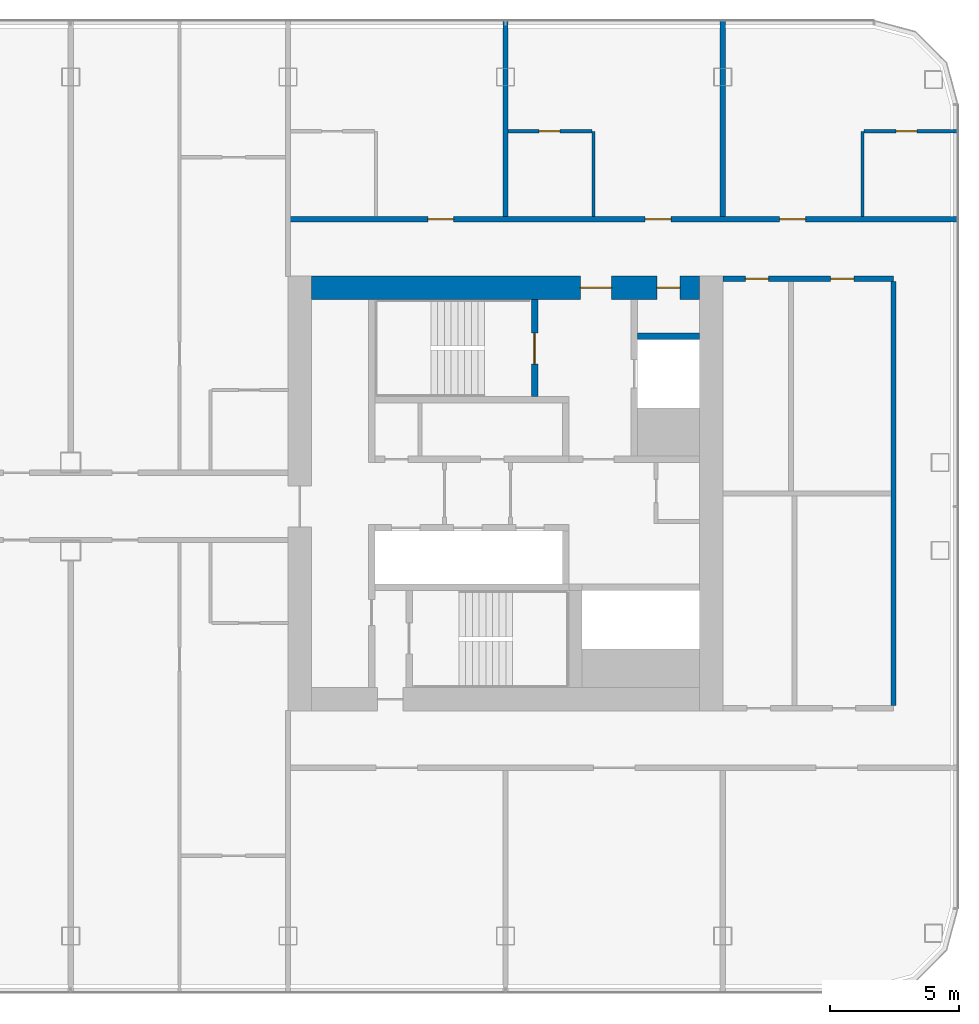
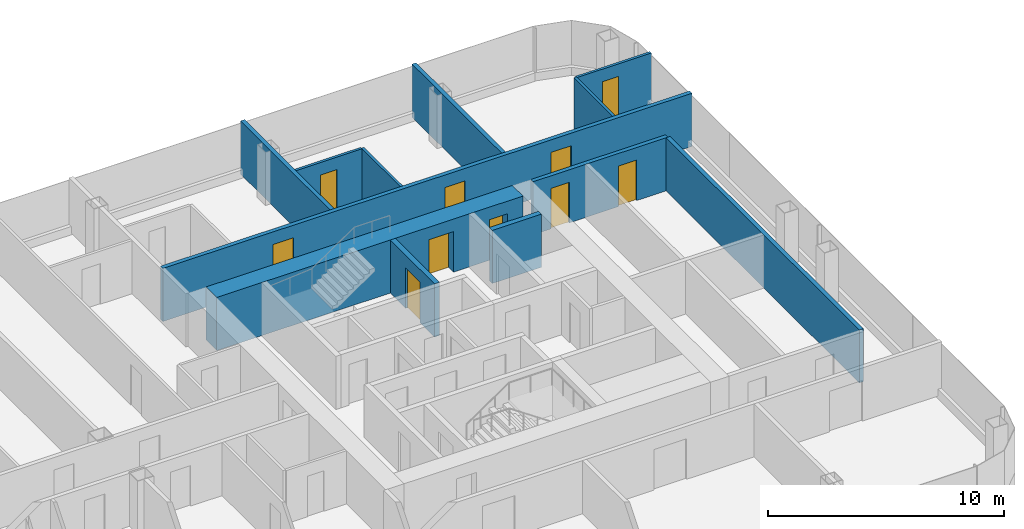
# One storey, part 17 of 26: 12 walls, 10 doors, 10 openings.
"""IFC4 building model written with IfcOpenShell, lengths in metres."""

from ifc_helpers import new_model, si_unit, direction, frame, frame_2d, origin, place, context, subcontext, project, spatial, rectangle, extrude, material, layer, layer_set, type_object, element, fill, save


model = new_model("IFC4")

# Units and contexts
model_context = context("Model", 3, precision=1e-05, world=origin(), true_north=direction((0.0, 1.0)))
body_context = subcontext(model_context, "Body", "Model", "MODEL_VIEW")
ifc_project = project(units=[si_unit("LENGTHUNIT", "METRE"), si_unit("AREAUNIT", "SQUARE_METRE"), si_unit("VOLUMEUNIT", "CUBIC_METRE"), si_unit("PLANEANGLEUNIT", "RADIAN"), si_unit("MASSUNIT", "GRAM", prefix="KILO")], contexts=[model_context])

# Site, building, storey
site_placement = place(None, origin())
site = spatial("IfcSite", under=ifc_project, at=site_placement, CompositionType="ELEMENT")
building_placement = place(site_placement, origin())
building = spatial("IfcBuilding", under=site, at=building_placement, Name="Hakoniwa Tower and Hamabe Station Hall", CompositionType="ELEMENT")
storey_placement = place(building_placement, frame((0.0, 0.0, 143.800048828125)))
storey = spatial("IfcBuildingStorey", under=building, at=storey_placement, Name="L40", CompositionType="ELEMENT", Elevation=143.800048828125)

# Wall, opening, door
ifc_material_1 = material(Name="Gypsum board partition", Category="gypsum")
ifc_layer_1 = layer(ifc_material_1, 0.125)
ifc_layer_set_1 = layer_set([ifc_layer_1], Name="Bathroom Partition 125")
wall_type_1 = type_object("IfcWallType", Name="Bathroom Partition 125", PredefinedType="PARTITIONING", material=ifc_layer_set_1)
wall_1_placement = place(storey_placement, frame((25.300048828125, 14.0, 0.0), z_axis=(0.0, 0.0, 1.0), x_axis=(1.0, 0.0, 0.0)))
wall_1 = element("IfcWall", 1, at=wall_1_placement, inside=storey, type_object=wall_type_1, Name="GW-L40-027", PredefinedType="PARTITIONING", context=body_context, shape_type="SweptSolid", body=[
    extrude(rectangle(XDim=3.237548828125, YDim=0.125, at=frame_2d((1.61865234375, 0.0))), origin(), (0.0, 0.0, 1.0), 2.75),
])
opening_1_placement = place(wall_1_placement, frame((1.199951171875, 0.0, 0.0)))
opening_1 = element("IfcOpeningElement", 2, at=opening_1_placement, cuts=wall_1, Name="Opening GD-G3E0-48", PredefinedType="OPENING", context=body_context, shape_type="SweptSolid", body=[
    extrude(rectangle(XDim=0.800048828125, YDim=2.10009765625, at=frame_2d((0.39990234375, 1.050048828125))), frame((0.0, 0.072509765625, 0.0), z_axis=(0.0, -1.0, 0.0), x_axis=(1.0, 0.0, 0.0)), (0.0, 0.0, 1.0), 0.14501953125),
])
ifc_material_2 = material(Name="Timber door leaf", Category="wood")
door_type_1 = type_object("IfcDoorType", Name="Bathroom Door 800", OperationType="SINGLE_SWING_LEFT", PredefinedType="DOOR", material=ifc_material_2)
door_1_placement = place(opening_1_placement, origin())
door_1 = element("IfcDoor", 3, at=door_1_placement, inside=storey, type_object=door_type_1, Name="Door GD-G3E0-48", OperationType="SINGLE_SWING_RIGHT", OverallHeight=2.10009765625, OverallWidth=0.800048828125, PredefinedType="DOOR", context=body_context, shape_type="SweptSolid", body=[
    extrude(rectangle(XDim=0.800048828125, YDim=2.10009765625, at=frame_2d((0.39990234375, 1.050048828125))), frame((0.0, 0.02490234375, 0.0), z_axis=(0.0, -1.0, 0.0), x_axis=(1.0, 0.0, 0.0)), (0.0, 0.0, 1.0), 0.050048828125),
])
fill(opening_1, door_1)

wall_2_placement = place(storey_placement, frame((39.0625, 14.0, 0.0), z_axis=(0.0, 0.0, 1.0), x_axis=(1.0, 0.0, 0.0)))
wall_2 = element("IfcWall", 4, at=wall_2_placement, inside=storey, type_object=wall_type_1, Name="GW-L40-028", PredefinedType="PARTITIONING", context=body_context, shape_type="SweptSolid", body=[
    extrude(rectangle(XDim=3.637451171875, YDim=0.125, at=frame_2d((1.81884765625, 0.0))), origin(), (0.0, 0.0, 1.0), 2.75),
])
opening_2_placement = place(wall_2_placement, frame((1.237548828125, 0.0, 0.0)))
opening_2 = element("IfcOpeningElement", 5, at=opening_2_placement, cuts=wall_2, Name="Opening GD-G3E0-49", PredefinedType="OPENING", context=body_context, shape_type="SweptSolid", body=[
    extrude(rectangle(XDim=0.800048828125, YDim=2.10009765625, at=frame_2d((0.39990234375, 1.050048828125))), frame((0.0, 0.072509765625, 0.0), z_axis=(0.0, -1.0, 0.0), x_axis=(1.0, 0.0, 0.0)), (0.0, 0.0, 1.0), 0.14501953125),
])
door_2_placement = place(opening_2_placement, origin())
door_2 = element("IfcDoor", 6, at=door_2_placement, inside=storey, type_object=door_type_1, Name="Door GD-G3E0-49", OperationType="SINGLE_SWING_LEFT", OverallHeight=2.10009765625, OverallWidth=0.800048828125, PredefinedType="DOOR", context=body_context, shape_type="SweptSolid", body=[
    extrude(rectangle(XDim=0.800048828125, YDim=2.10009765625, at=frame_2d((0.39990234375, 1.050048828125))), frame((0.0, 0.02490234375, 0.0), z_axis=(0.0, -1.0, 0.0), x_axis=(1.0, 0.0, 0.0)), (0.0, 0.0, 1.0), 0.050048828125),
])
fill(opening_2, door_2)

# Walls
for number, where, z_axis, x_axis, name in (
    (7, (28.60009765625, 10.699951171875, 0.0), (0.0, 0.0, 1.0), (0.0, 1.0, 0.0), "GW-L40-068"),
    (8, (39.0, 10.699951171875, 0.0), (0.0, 0.0, 1.0), (0.0, 1.0, 0.0), "GW-L40-073"),
):
    element("IfcWall", number, at=place(storey_placement, frame(where, z_axis=z_axis, x_axis=x_axis)), inside=storey, type_object=wall_type_1, Name=name, PredefinedType="PARTITIONING", context=body_context, shape_type="SweptSolid", body=[
        extrude(rectangle(XDim=3.300048828125, YDim=0.125, at=frame_2d((1.64990234375, 0.0))), origin(), (0.0, 0.0, 1.0), 2.75),
    ])

# Wall, openings, doors
ifc_material_3 = material(Name="Concrete C66", Category="concrete")
ifc_layer_2 = layer(ifc_material_3, 0.89990234375)
ifc_layer_set_2 = layer_set([ifc_layer_2], Name="CORE WALL 900 C66")
wall_type_2 = type_object("IfcWallType", Name="CORE WALL 900 C66", PredefinedType="SHEAR", material=ifc_layer_set_2)
wall_3_placement = place(storey_placement, frame((17.699951171875, 7.949951171875, 0.0), z_axis=(0.0, 0.0, 1.0), x_axis=(1.0, 0.0, 0.0)))
wall_3 = element("IfcWall", 9, at=wall_3_placement, inside=storey, type_object=wall_type_2, Name="Core wall NORTH east", PredefinedType="SHEAR", context=body_context, shape_type="SweptSolid", body=[
    extrude(rectangle(XDim=15.0, YDim=0.89990234375, at=frame_2d((7.5, 0.0))), origin(), (0.0, 0.0, 1.0), 2.75),
])
opening_3_placement = place(wall_3_placement, frame((10.39990234375, 0.0, 0.0)))
opening_3 = element("IfcOpeningElement", 10, at=opening_3_placement, cuts=wall_3, Name="Opening CD-E-FN1-12", PredefinedType="OPENING", context=body_context, shape_type="SweptSolid", body=[
    extrude(rectangle(XDim=1.199951171875, YDim=2.10009765625, at=frame_2d((0.60009765625, 1.050048828125))), frame((0.0, 0.4599609375, 0.0), z_axis=(0.0, -1.0, 0.0), x_axis=(1.0, 0.0, 0.0)), (0.0, 0.0, 1.0), 0.919921875),
])
opening_4_placement = place(wall_3_placement, frame((13.35009765625, 0.0, 0.0)))
opening_4 = element("IfcOpeningElement", 11, at=opening_4_placement, cuts=wall_3, Name="Opening CD-E-FN2-9", PredefinedType="OPENING", context=body_context, shape_type="SweptSolid", body=[
    extrude(rectangle(XDim=0.89990234375, YDim=2.10009765625, at=frame_2d((0.449951171875, 1.050048828125))), frame((0.0, 0.4599609375, 0.0), z_axis=(0.0, -1.0, 0.0), x_axis=(1.0, 0.0, 0.0)), (0.0, 0.0, 1.0), 0.919921875),
])
ifc_material_4 = material(Name="Steel fire door", Category="steel")
door_type_2 = type_object("IfcDoorType", Name="CORE DOOR 1200 FD60", OperationType="DOUBLE_DOOR_SINGLE_SWING", PredefinedType="DOOR", material=ifc_material_4)
door_3_placement = place(opening_3_placement, origin())
door_3 = element("IfcDoor", 12, at=door_3_placement, inside=storey, type_object=door_type_2, Name="Stair vestibule door to the fire-fighting lobby", OperationType="DOUBLE_DOOR_SINGLE_SWING", OverallHeight=2.10009765625, OverallWidth=1.199951171875, PredefinedType="DOOR", context=body_context, shape_type="SweptSolid", body=[
    extrude(rectangle(XDim=1.199951171875, YDim=2.10009765625, at=frame_2d((0.60009765625, 1.050048828125))), frame((0.0, 0.02490234375, 0.0), z_axis=(0.0, -1.0, 0.0), x_axis=(1.0, 0.0, 0.0)), (0.0, 0.0, 1.0), 0.050048828125),
])
fill(opening_3, door_3)
ifc_material_5 = material(Name="Steel fire door", Category="steel")
door_type_3 = type_object("IfcDoorType", Name="CORE DOOR 900 FD30", OperationType="NOTDEFINED", PredefinedType="DOOR", material=ifc_material_5)
door_4_placement = place(opening_4_placement, origin())
door_4 = element("IfcDoor", 13, at=door_4_placement, inside=storey, type_object=door_type_3, Name="Riser access door", OperationType="SINGLE_SWING_RIGHT", OverallHeight=2.10009765625, OverallWidth=0.89990234375, PredefinedType="DOOR", context=body_context, shape_type="SweptSolid", body=[
    extrude(rectangle(XDim=0.89990234375, YDim=2.10009765625, at=frame_2d((0.449951171875, 1.050048828125))), frame((0.0, 0.02490234375, 0.0), z_axis=(0.0, -1.0, 0.0), x_axis=(1.0, 0.0, 0.0)), (0.0, 0.0, 1.0), 0.050048828125),
])
fill(opening_4, door_4)

# Wall, opening, door
ifc_material_6 = material(Name="Concrete C66", Category="concrete")
ifc_layer_3 = layer(ifc_material_6, 0.25)
ifc_layer_set_3 = layer_set([ifc_layer_3], Name="CORE WEB WALL 250 C66")
wall_type_3 = type_object("IfcWallType", Name="CORE WEB WALL 250 C66", PredefinedType="SHEAR", material=ifc_layer_set_3)
wall_4_placement = place(storey_placement, frame((26.324951171875, 3.75, 0.0), z_axis=(0.0, 0.0, 1.0), x_axis=(0.0, 1.0, 0.0)))
wall_4 = element("IfcWall", 14, at=wall_4_placement, inside=storey, type_object=wall_type_3, Name="Core wall NSE east", PredefinedType="SHEAR", context=body_context, shape_type="SweptSolid", body=[
    extrude(rectangle(XDim=3.75, YDim=0.25, at=frame_2d((1.875, 0.0))), origin(), (0.0, 0.0, 1.0), 2.75),
])
opening_5_placement = place(wall_4_placement, frame((1.25, 0.0, 0.0)))
opening_5 = element("IfcOpeningElement", 15, at=opening_5_placement, cuts=wall_4, Name="Opening CD-E-SN-12", PredefinedType="OPENING", context=body_context, shape_type="SweptSolid", body=[
    extrude(rectangle(XDim=1.199951171875, YDim=2.10009765625, at=frame_2d((0.60009765625, 1.050048828125))), frame((0.0, 0.135009765625, 0.0), z_axis=(0.0, -1.0, 0.0), x_axis=(1.0, 0.0, 0.0)), (0.0, 0.0, 1.0), 0.27001953125),
])
door_5_placement = place(opening_5_placement, origin())
door_5 = element("IfcDoor", 16, at=door_5_placement, inside=storey, type_object=door_type_2, Name="Escape stair door", OperationType="DOUBLE_DOOR_SINGLE_SWING", OverallHeight=2.10009765625, OverallWidth=1.199951171875, PredefinedType="DOOR", context=body_context, shape_type="SweptSolid", body=[
    extrude(rectangle(XDim=1.199951171875, YDim=2.10009765625, at=frame_2d((0.60009765625, 1.050048828125))), frame((0.0, 0.02490234375, 0.0), z_axis=(0.0, -1.0, 0.0), x_axis=(1.0, 0.0, 0.0)), (0.0, 0.0, 1.0), 0.050048828125),
])
fill(opening_5, door_5)

# Wall
wall_5_placement = place(storey_placement, frame((30.300048828125, 6.074951171875, 0.0), z_axis=(0.0, 0.0, 1.0), x_axis=(1.0, 0.0, 0.0)))
element("IfcWall", 17, at=wall_5_placement, inside=storey, type_object=wall_type_3, Name="Core wall C2 east", PredefinedType="SHEAR", context=body_context, shape_type="SweptSolid", body=[
    extrude(rectangle(XDim=2.39990234375, YDim=0.25, at=frame_2d((1.199951171875, 0.0))), origin(), (0.0, 0.0, 1.0), 2.75),
])

# Wall, openings, doors
ifc_material_7 = material(Name="Fire-rated gypsum board partition", Category="gypsum")
ifc_layer_4 = layer(ifc_material_7, 0.199951171875)
ifc_layer_set_4 = layer_set([ifc_layer_4], Name="Corridor Wall 200")
wall_type_4 = type_object("IfcWallType", Name="Corridor Wall 200", PredefinedType="PARTITIONING", material=ifc_layer_set_4)
wall_6_placement = place(storey_placement, frame((33.60009765625, 8.300048828125, 0.0), z_axis=(0.0, 0.0, 1.0), x_axis=(1.0, 0.0, 0.0)))
wall_6 = element("IfcWall", 18, at=wall_6_placement, inside=storey, type_object=wall_type_4, Name="GW-L40-020", PredefinedType="PARTITIONING", context=body_context, shape_type="SweptSolid", body=[
    extrude(rectangle(XDim=6.599853515625, YDim=0.199951171875, at=frame_2d((3.2998046875, 0.0))), origin(), (0.0, 0.0, 1.0), 2.75),
])
opening_6_placement = place(wall_6_placement, frame((0.8701171875, 0.0, 0.0)))
opening_6 = element("IfcOpeningElement", 19, at=opening_6_placement, cuts=wall_6, Name="Opening GD-G3E0-34", PredefinedType="OPENING", context=body_context, shape_type="SweptSolid", body=[
    extrude(rectangle(XDim=0.89990234375, YDim=2.10009765625, at=frame_2d((0.449951171875, 1.050048828125))), frame((0.0, 0.10986328125, 0.0), z_axis=(0.0, -1.0, 0.0), x_axis=(1.0, 0.0, 0.0)), (0.0, 0.0, 1.0), 0.219970703125),
])
opening_7_placement = place(wall_6_placement, frame((4.169921875, 0.0, 0.0)))
opening_7 = element("IfcOpeningElement", 20, at=opening_7_placement, cuts=wall_6, Name="Opening GD-G3E0-35", PredefinedType="OPENING", context=body_context, shape_type="SweptSolid", body=[
    extrude(rectangle(XDim=0.89990234375, YDim=2.10009765625, at=frame_2d((0.449951171875, 1.050048828125))), frame((0.0, 0.10986328125, 0.0), z_axis=(0.0, -1.0, 0.0), x_axis=(1.0, 0.0, 0.0)), (0.0, 0.0, 1.0), 0.219970703125),
])
ifc_material_8 = material(Name="Timber door leaf", Category="wood")
door_type_4 = type_object("IfcDoorType", Name="Service Door 900", OperationType="SINGLE_SWING_LEFT", PredefinedType="DOOR", material=ifc_material_8)
door_6_placement = place(opening_6_placement, origin())
door_6 = element("IfcDoor", 21, at=door_6_placement, inside=storey, type_object=door_type_4, Name="Door GD-G3E0-34", OperationType="SINGLE_SWING_RIGHT", OverallHeight=2.10009765625, OverallWidth=0.89990234375, PredefinedType="DOOR", context=body_context, shape_type="SweptSolid", body=[
    extrude(rectangle(XDim=0.89990234375, YDim=2.10009765625, at=frame_2d((0.449951171875, 1.050048828125))), frame((0.0, 0.02490234375, 0.0), z_axis=(0.0, -1.0, 0.0), x_axis=(1.0, 0.0, 0.0)), (0.0, 0.0, 1.0), 0.050048828125),
])
fill(opening_6, door_6)
door_7_placement = place(opening_7_placement, origin())
door_7 = element("IfcDoor", 22, at=door_7_placement, inside=storey, type_object=door_type_4, Name="Door GD-G3E0-35", OperationType="SINGLE_SWING_RIGHT", OverallHeight=2.10009765625, OverallWidth=0.89990234375, PredefinedType="DOOR", context=body_context, shape_type="SweptSolid", body=[
    extrude(rectangle(XDim=0.89990234375, YDim=2.10009765625, at=frame_2d((0.449951171875, 1.050048828125))), frame((0.0, 0.02490234375, 0.0), z_axis=(0.0, -1.0, 0.0), x_axis=(1.0, 0.0, 0.0)), (0.0, 0.0, 1.0), 0.050048828125),
])
fill(opening_7, door_7)

wall_7_placement = place(storey_placement, frame((16.800048828125, 10.60009765625, 0.0), z_axis=(0.0, 0.0, 1.0), x_axis=(1.0, 0.0, 0.0)))
wall_7 = element("IfcWall", 23, at=wall_7_placement, inside=storey, type_object=wall_type_4, Name="GW-L40-022", PredefinedType="PARTITIONING", context=body_context, shape_type="SweptSolid", body=[
    extrude(rectangle(XDim=25.89990234375, YDim=0.199951171875, at=frame_2d((12.949951171875, 0.0))), origin(), (0.0, 0.0, 1.0), 2.75),
])
opening_8_placement = place(wall_7_placement, frame((5.39990234375, 0.0, 0.0)))
opening_8 = element("IfcOpeningElement", 24, at=opening_8_placement, cuts=wall_7, Name="Opening GD-G3E0-40", PredefinedType="OPENING", context=body_context, shape_type="SweptSolid", body=[
    extrude(rectangle(XDim=1.0, YDim=2.10009765625, at=frame_2d((0.5, 1.050048828125))), frame((0.0, 0.10986328125, 0.0), z_axis=(0.0, -1.0, 0.0), x_axis=(1.0, 0.0, 0.0)), (0.0, 0.0, 1.0), 0.219970703125),
])
opening_9_placement = place(wall_7_placement, frame((13.800048828125, 0.0, 0.0)))
opening_9 = element("IfcOpeningElement", 25, at=opening_9_placement, cuts=wall_7, Name="Opening GD-G3E0-41", PredefinedType="OPENING", context=body_context, shape_type="SweptSolid", body=[
    extrude(rectangle(XDim=1.0, YDim=2.10009765625, at=frame_2d((0.5, 1.050048828125))), frame((0.0, 0.10986328125, 0.0), z_axis=(0.0, -1.0, 0.0), x_axis=(1.0, 0.0, 0.0)), (0.0, 0.0, 1.0), 0.219970703125),
])
opening_10_placement = place(wall_7_placement, frame((19.0, 0.0, 0.0)))
opening_10 = element("IfcOpeningElement", 26, at=opening_10_placement, cuts=wall_7, Name="Opening GD-G3E0-42", PredefinedType="OPENING", context=body_context, shape_type="SweptSolid", body=[
    extrude(rectangle(XDim=1.0, YDim=2.10009765625, at=frame_2d((0.5, 1.050048828125))), frame((0.0, 0.10986328125, 0.0), z_axis=(0.0, -1.0, 0.0), x_axis=(1.0, 0.0, 0.0)), (0.0, 0.0, 1.0), 0.219970703125),
])
ifc_material_9 = material(Name="Timber door leaf", Category="wood")
door_type_5 = type_object("IfcDoorType", Name="Guest Entrance Door 1000", OperationType="SINGLE_SWING_LEFT", PredefinedType="DOOR", material=ifc_material_9)
door_8_placement = place(opening_8_placement, origin())
door_8 = element("IfcDoor", 27, at=door_8_placement, inside=storey, type_object=door_type_5, Name="Door GD-G3E0-40", OperationType="SINGLE_SWING_LEFT", OverallHeight=2.10009765625, OverallWidth=1.0, PredefinedType="DOOR", context=body_context, shape_type="SweptSolid", body=[
    extrude(rectangle(XDim=1.0, YDim=2.10009765625, at=frame_2d((0.5, 1.050048828125))), frame((0.0, 0.02490234375, 0.0), z_axis=(0.0, -1.0, 0.0), x_axis=(1.0, 0.0, 0.0)), (0.0, 0.0, 1.0), 0.050048828125),
])
fill(opening_8, door_8)
door_9_placement = place(opening_9_placement, origin())
door_9 = element("IfcDoor", 28, at=door_9_placement, inside=storey, type_object=door_type_5, Name="Door GD-G3E0-41", OperationType="SINGLE_SWING_RIGHT", OverallHeight=2.10009765625, OverallWidth=1.0, PredefinedType="DOOR", context=body_context, shape_type="SweptSolid", body=[
    extrude(rectangle(XDim=1.0, YDim=2.10009765625, at=frame_2d((0.5, 1.050048828125))), frame((0.0, 0.02490234375, 0.0), z_axis=(0.0, -1.0, 0.0), x_axis=(1.0, 0.0, 0.0)), (0.0, 0.0, 1.0), 0.050048828125),
])
fill(opening_9, door_9)
door_10_placement = place(opening_10_placement, origin())
door_10 = element("IfcDoor", 29, at=door_10_placement, inside=storey, type_object=door_type_5, Name="Door GD-G3E0-42", OperationType="SINGLE_SWING_LEFT", OverallHeight=2.10009765625, OverallWidth=1.0, PredefinedType="DOOR", context=body_context, shape_type="SweptSolid", body=[
    extrude(rectangle(XDim=1.0, YDim=2.10009765625, at=frame_2d((0.5, 1.050048828125))), frame((0.0, 0.02490234375, 0.0), z_axis=(0.0, -1.0, 0.0), x_axis=(1.0, 0.0, 0.0)), (0.0, 0.0, 1.0), 0.050048828125),
])
fill(opening_10, door_10)

# Walls
ifc_material_10 = material(Name="Fire-rated gypsum board partition", Category="gypsum")
ifc_layer_5 = layer(ifc_material_10, 0.199951171875)
ifc_layer_set_5 = layer_set([ifc_layer_5], Name="Party Wall 200")
wall_type_5 = type_object("IfcWallType", Name="Party Wall 200", PredefinedType="PARTITIONING", material=ifc_layer_set_5)
for number, where, z_axis, x_axis, name in (
    (30, (25.199951171875, 10.699951171875, 0.0), (0.0, 0.0, 1.0), (0.0, 1.0, 0.0), "GW-L40-067"),
    (31, (33.60009765625, 10.699951171875, 0.0), (0.0, 0.0, 1.0), (0.0, 1.0, 0.0), "GW-L40-070"),
):
    element("IfcWall", number, at=place(storey_placement, frame(where, z_axis=z_axis, x_axis=x_axis)), inside=storey, type_object=wall_type_5, Name=name, PredefinedType="PARTITIONING", context=body_context, shape_type="SweptSolid", body=[
        extrude(rectangle(XDim=7.60009765625, YDim=0.199951171875, at=frame_2d((3.800048828125, 0.0))), origin(), (0.0, 0.0, 1.0), 2.75),
    ])
wall_8_placement = place(storey_placement, frame((40.199951171875, -8.199951171875, 0.0), z_axis=(0.0, 0.0, 1.0), x_axis=(0.0, 1.0, 0.0)))
element("IfcWall", 32, at=wall_8_placement, inside=storey, type_object=wall_type_5, Name="GW-L40-074", PredefinedType="PARTITIONING", context=body_context, shape_type="SweptSolid", body=[
    extrude(rectangle(XDim=16.39990234375, YDim=0.199951171875, at=frame_2d((8.199951171875, 0.0))), origin(), (0.0, 0.0, 1.0), 2.75),
])

save(model, "model.ifc")
